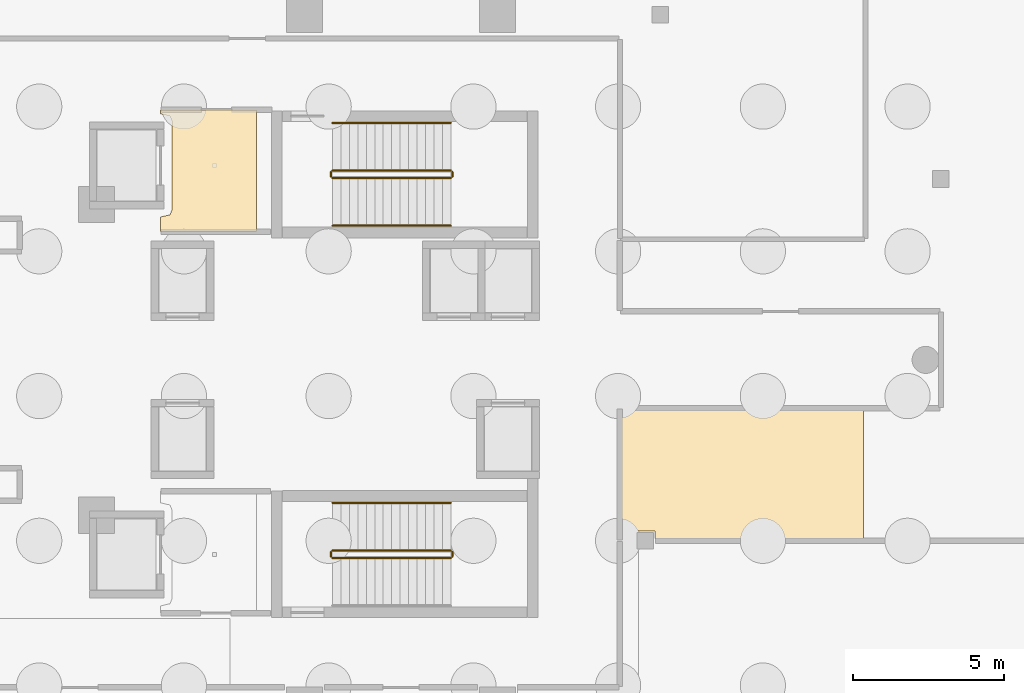
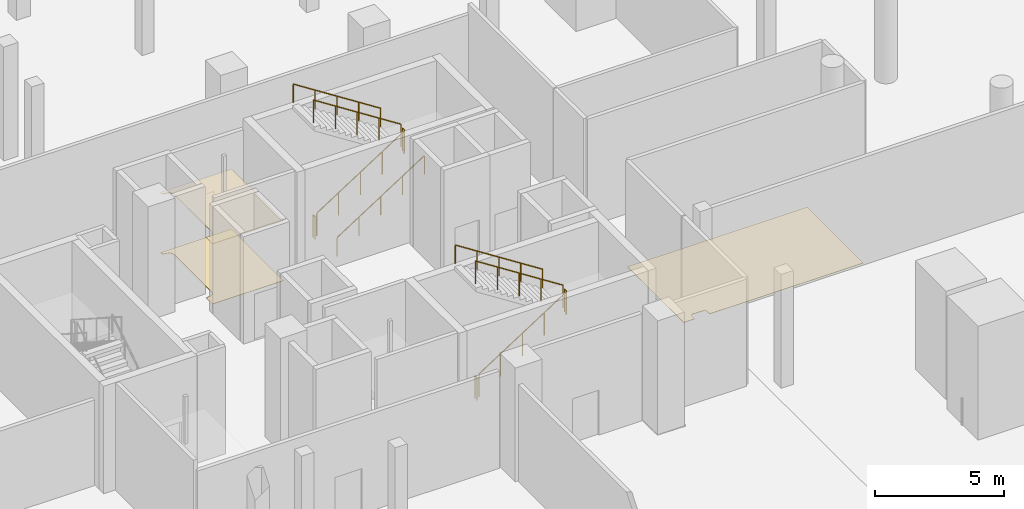
# One storey, part 18 of 22: 11 railings, 3 coverings.
"""IFC4 building model written with IfcOpenShell, lengths in metres."""

from ifc_helpers import new_model, si_unit, direction, frame, origin, origin_2d, place, context, subcontext, project, spatial, polyline, circle, outline, extrude, material, layer, layer_set, type_object, element, save


model = new_model("IFC4")

# Units and contexts
model_context = context("Model", 3, precision=1e-05, world=origin(), true_north=direction((0.0, 1.0)))
body_context = subcontext(model_context, "Body", "Model", "MODEL_VIEW")
ifc_project = project(units=[si_unit("LENGTHUNIT", "METRE"), si_unit("AREAUNIT", "SQUARE_METRE"), si_unit("VOLUMEUNIT", "CUBIC_METRE"), si_unit("PLANEANGLEUNIT", "RADIAN"), si_unit("MASSUNIT", "GRAM", prefix="KILO")], contexts=[model_context])

# Site, building, storey
site_placement = place(None, origin())
site = spatial("IfcSite", under=ifc_project, at=site_placement, CompositionType="ELEMENT")
building_placement = place(site_placement, origin())
building = spatial("IfcBuilding", under=site, at=building_placement, Name="Qorvath Tower", CompositionType="ELEMENT")
storey_placement = place(building_placement, frame((0.0, 0.0, -5.39990234375)))
storey = spatial("IfcBuildingStorey", under=building, at=storey_placement, Name="B01", CompositionType="ELEMENT", Elevation=-5.39990234375)

# Coverings
ifc_material_1 = material(Name="Acoustic mineral fibre ceiling tile", Category="gypsum")
ifc_layer_1 = layer(ifc_material_1, 0.030029296875)
ifc_layer_set_1 = layer_set([ifc_layer_1], Name="COV-CEIL")
covering_type_1 = type_object("IfcCoveringType", Name="COV-CEIL", PredefinedType="CEILING", material=ifc_layer_set_1)
covering_1_placement = place(storey_placement, frame((0.0, 0.0, 2.849853515625)))
element("IfcCovering", 1, at=covering_1_placement, inside=storey, type_object=covering_type_1, Name="B01 Suspended Acoustic Ceiling 001", PredefinedType="CEILING", context=body_context, shape_type="SweptSolid", body=[
    extrude(outline(polyline([(-25.18994140625, 4.2548828125), (-25.18994140625, 8.294921875), (-28.375, 8.294921875), (-28.375, 8.159912109375), (-28.063232421875, 8.086669921875), (-27.989990234375, 7.909912109375), (-27.989990234375, 4.989990234375), (-28.063232421875, 4.813232421875), (-28.375, 4.739990234375), (-28.375, 4.2548828125), (-25.18994140625, 4.2548828125)])), origin(), (0.0, 0.0, 1.0), 0.030029296875),
])
ifc_material_2 = material(Name="Polished epoxy terrazzo flooring", Category="concrete")
ifc_layer_2 = layer(ifc_material_2, 0.02001953125)
ifc_layer_set_2 = layer_set([ifc_layer_2], Name="COV-FLOOR-TRZ")
covering_type_2 = type_object("IfcCoveringType", Name="COV-FLOOR-TRZ", PredefinedType="FLOORING", material=ifc_layer_set_2)
covering_2_placement = place(storey_placement, origin())
element("IfcCovering", 2, at=covering_2_placement, inside=storey, type_object=covering_type_2, Name="B01 Floor Finish 001", PredefinedType="FLOORING", context=body_context, shape_type="SweptSolid", body=[
    extrude(outline(polyline([(-25.18994140625, 4.2548828125), (-25.18994140625, 8.294921875), (-28.375, 8.294921875), (-28.375, 8.159912109375), (-28.063232421875, 8.086669921875), (-27.989990234375, 7.909912109375), (-27.989990234375, 4.989990234375), (-28.063232421875, 4.813232421875), (-28.375, 4.739990234375), (-28.375, 4.2548828125), (-25.18994140625, 4.2548828125)])), origin(), (0.0, 0.0, 1.0), 0.014892578125),
])
covering_3_placement = place(storey_placement, origin())
element("IfcCovering", 3, at=covering_3_placement, inside=storey, type_object=covering_type_2, Name="B01 Floor Finish 007", PredefinedType="FLOORING", context=body_context, shape_type="SweptSolid", body=[
    extrude(outline(polyline([(-5.064453125, -5.987060546875), (-5.064453125, -1.609130859375), (-13.136962890625, -1.613037109375), (-13.136962890625, -5.987060546875), (-12.635009765625, -5.987060546875), (-12.635009765625, -5.72509765625), (-12.574951171875, -5.6650390625), (-11.982666015625, -5.6826171875), (-11.965087890625, -5.987060546875), (-5.064453125, -5.987060546875)])), origin(), (0.0, 0.0, 1.0), 0.014892578125),
])

# Railings
ifc_material_3 = material(Name="Painted galvanised steel", Category="steel")
railing_type_1 = type_object("IfcRailingType", Name="RL-STR-GRD", PredefinedType="GUARDRAIL", material=ifc_material_3)
railing_1_placement = place(storey_placement, frame((-22.669921875, 6.030029296875, 0.179931640625)))
element("IfcRailing", 4, at=railing_1_placement, inside=storey, type_object=railing_type_1, Name="B01 TS1 stair guard 1", PredefinedType="GUARDRAIL", context=body_context, shape_type="SweptSolid", body=[
    extrude(circle(Radius=0.02392578125, at=origin_2d()), frame((0.0, 0.0, 1.076171875), z_axis=(0.841171666519, 0.0, 0.540768182723), x_axis=(0.0, 1.0, 0.0)), (0.0, 0.0, 1.0), 4.66015625),
    extrude(circle(Radius=0.02099609375, at=origin_2d()), origin(), (0.0, 0.0, 1.0), 1.052001953125),
    extrude(circle(Radius=0.02099609375, at=origin_2d()), frame((0.97998046875, 0.0, 0.6298828125)), (0.0, 0.0, 1.0), 1.052001953125),
    extrude(circle(Radius=0.02099609375, at=origin_2d()), frame((1.9599609375, 0.0, 1.260009765625)), (0.0, 0.0, 1.0), 1.052001953125),
    extrude(circle(Radius=0.02099609375, at=origin_2d()), frame((2.93994140625, 0.0, 1.89013671875)), (0.0, 0.0, 1.0), 1.052001953125),
    extrude(circle(Radius=0.02099609375, at=origin_2d()), frame((3.919921875, 0.0, 2.52001953125)), (0.0, 0.0, 1.0), 1.052001953125),
])
railing_2_placement = place(storey_placement, frame((-18.699951171875, 6.080078125, 2.699951171875)))
element("IfcRailing", 5, at=railing_2_placement, inside=storey, type_object=railing_type_1, Name="B01 TS1 stair guard 2", PredefinedType="GUARDRAIL", context=body_context, shape_type="SweptSolid", body=[
    extrude(circle(Radius=0.02392578125, at=origin_2d()), frame((0.0, 0.0, 1.076171875), z_axis=(0.0, 1.0, 0.0), x_axis=(-1.0, 0.0, 0.0)), (0.0, 0.0, 1.0), 0.14990234375),
    extrude(circle(Radius=0.02099609375, at=origin_2d()), origin(), (0.0, 0.0, 1.0), 1.052001953125),
    extrude(circle(Radius=0.02099609375, at=origin_2d()), frame((0.0, 0.14990234375, 0.0)), (0.0, 0.0, 1.0), 1.052001953125),
])
railing_3_placement = place(storey_placement, frame((-18.75, 6.280029296875, 2.8798828125)))
element("IfcRailing", 6, at=railing_3_placement, inside=storey, type_object=railing_type_1, Name="B01 TS1 stair guard 3", PredefinedType="GUARDRAIL", context=body_context, shape_type="SweptSolid", body=[
    extrude(circle(Radius=0.02392578125, at=origin_2d()), frame((0.0, 0.0, 1.076171875), z_axis=(-0.841171666519, 0.0, 0.540768182723), x_axis=(0.0, -1.0, 0.0)), (0.0, 0.0, 1.0), 4.66015625),
    extrude(circle(Radius=0.02099609375, at=origin_2d()), origin(), (0.0, 0.0, 1.0), 1.052001953125),
    extrude(circle(Radius=0.02099609375, at=origin_2d()), frame((-0.97998046875, 0.0, 0.6298828125)), (0.0, 0.0, 1.0), 1.052001953125),
    extrude(circle(Radius=0.02099609375, at=origin_2d()), frame((-1.9599609375, 0.0, 1.260009765625)), (0.0, 0.0, 1.0), 1.052001953125),
    extrude(circle(Radius=0.02099609375, at=origin_2d()), frame((-2.93994140625, 0.0, 1.89013671875)), (0.0, 0.0, 1.0), 1.052001953125),
    extrude(circle(Radius=0.02099609375, at=origin_2d()), frame((-3.919921875, 0.0, 2.52001953125)), (0.0, 0.0, 1.0), 1.052001953125),
])
railing_4_placement = place(storey_placement, frame((-22.719970703125, 6.080078125, 0.0)))
element("IfcRailing", 7, at=railing_4_placement, inside=storey, type_object=railing_type_1, Name="B01 TS1 stair guard 4", PredefinedType="GUARDRAIL", context=body_context, shape_type="SweptSolid", body=[
    extrude(circle(Radius=0.02392578125, at=origin_2d()), frame((0.0, 0.0, 1.076171875), z_axis=(0.0, 1.0, 0.0), x_axis=(-1.0, 0.0, 0.0)), (0.0, 0.0, 1.0), 0.14990234375),
    extrude(circle(Radius=0.02099609375, at=origin_2d()), origin(), (0.0, 0.0, 1.0), 1.052001953125),
    extrude(circle(Radius=0.02099609375, at=origin_2d()), frame((0.0, 0.14990234375, 0.0)), (0.0, 0.0, 1.0), 1.052001953125),
])
railing_5_placement = place(storey_placement, frame((-22.669921875, -6.570068359375, 0.179931640625)))
element("IfcRailing", 8, at=railing_5_placement, inside=storey, type_object=railing_type_1, Name="B01 TS2 stair guard 1", PredefinedType="GUARDRAIL", context=body_context, shape_type="SweptSolid", body=[
    extrude(circle(Radius=0.02392578125, at=origin_2d()), frame((0.0, 0.0, 1.076171875), z_axis=(0.841171666519, 0.0, 0.540768182723), x_axis=(0.0, 1.0, 0.0)), (0.0, 0.0, 1.0), 4.66015625),
    extrude(circle(Radius=0.02099609375, at=origin_2d()), origin(), (0.0, 0.0, 1.0), 1.052001953125),
    extrude(circle(Radius=0.02099609375, at=origin_2d()), frame((0.97998046875, 0.0, 0.6298828125)), (0.0, 0.0, 1.0), 1.052001953125),
    extrude(circle(Radius=0.02099609375, at=origin_2d()), frame((1.9599609375, 0.0, 1.260009765625)), (0.0, 0.0, 1.0), 1.052001953125),
    extrude(circle(Radius=0.02099609375, at=origin_2d()), frame((2.93994140625, 0.0, 1.89013671875)), (0.0, 0.0, 1.0), 1.052001953125),
    extrude(circle(Radius=0.02099609375, at=origin_2d()), frame((3.919921875, 0.0, 2.52001953125)), (0.0, 0.0, 1.0), 1.052001953125),
])
railing_6_placement = place(storey_placement, frame((-18.699951171875, -6.52001953125, 2.699951171875)))
element("IfcRailing", 9, at=railing_6_placement, inside=storey, type_object=railing_type_1, Name="B01 TS2 stair guard 2", PredefinedType="GUARDRAIL", context=body_context, shape_type="SweptSolid", body=[
    extrude(circle(Radius=0.02392578125, at=origin_2d()), frame((0.0, 0.0, 1.076171875), z_axis=(0.0, 1.0, 0.0), x_axis=(-1.0, 0.0, 0.0)), (0.0, 0.0, 1.0), 0.14990234375),
    extrude(circle(Radius=0.02099609375, at=origin_2d()), origin(), (0.0, 0.0, 1.0), 1.052001953125),
    extrude(circle(Radius=0.02099609375, at=origin_2d()), frame((0.0, 0.14990234375, 0.0)), (0.0, 0.0, 1.0), 1.052001953125),
])
railing_7_placement = place(storey_placement, frame((-18.75, -6.320068359375, 2.8798828125)))
element("IfcRailing", 10, at=railing_7_placement, inside=storey, type_object=railing_type_1, Name="B01 TS2 stair guard 3", PredefinedType="GUARDRAIL", context=body_context, shape_type="SweptSolid", body=[
    extrude(circle(Radius=0.02392578125, at=origin_2d()), frame((0.0, 0.0, 1.076171875), z_axis=(-0.841171666519, 0.0, 0.540768182723), x_axis=(0.0, -1.0, 0.0)), (0.0, 0.0, 1.0), 4.66015625),
    extrude(circle(Radius=0.02099609375, at=origin_2d()), origin(), (0.0, 0.0, 1.0), 1.052001953125),
    extrude(circle(Radius=0.02099609375, at=origin_2d()), frame((-0.97998046875, 0.0, 0.6298828125)), (0.0, 0.0, 1.0), 1.052001953125),
    extrude(circle(Radius=0.02099609375, at=origin_2d()), frame((-1.9599609375, 0.0, 1.260009765625)), (0.0, 0.0, 1.0), 1.052001953125),
    extrude(circle(Radius=0.02099609375, at=origin_2d()), frame((-2.93994140625, 0.0, 1.89013671875)), (0.0, 0.0, 1.0), 1.052001953125),
    extrude(circle(Radius=0.02099609375, at=origin_2d()), frame((-3.919921875, 0.0, 2.52001953125)), (0.0, 0.0, 1.0), 1.052001953125),
])
railing_8_placement = place(storey_placement, frame((-22.719970703125, -6.52001953125, 0.0)))
element("IfcRailing", 11, at=railing_8_placement, inside=storey, type_object=railing_type_1, Name="B01 TS2 stair guard 4", PredefinedType="GUARDRAIL", context=body_context, shape_type="SweptSolid", body=[
    extrude(circle(Radius=0.02392578125, at=origin_2d()), frame((0.0, 0.0, 1.076171875), z_axis=(0.0, 1.0, 0.0), x_axis=(-1.0, 0.0, 0.0)), (0.0, 0.0, 1.0), 0.14990234375),
    extrude(circle(Radius=0.02099609375, at=origin_2d()), origin(), (0.0, 0.0, 1.0), 1.052001953125),
    extrude(circle(Radius=0.02099609375, at=origin_2d()), frame((0.0, 0.14990234375, 0.0)), (0.0, 0.0, 1.0), 1.052001953125),
])
ifc_material_4 = material(Name="Brushed stainless steel AISI 304", Category="steel")
railing_type_2 = type_object("IfcRailingType", Name="RL-STR-HND", PredefinedType="HANDRAIL", material=ifc_material_4)
railing_9_placement = place(storey_placement, frame((-22.669921875, 4.449951171875, 0.179931640625)))
element("IfcRailing", 12, at=railing_9_placement, inside=storey, type_object=railing_type_2, Name="B01 TS1 stair handrail 1", PredefinedType="HANDRAIL", context=body_context, shape_type="SweptSolid", body=[
    extrude(circle(Radius=0.02392578125, at=origin_2d()), frame((0.0, 0.0, 0.8759765625), z_axis=(0.841171666519, 0.0, 0.540768182723), x_axis=(0.0, 1.0, 0.0)), (0.0, 0.0, 1.0), 4.66015625),
    extrude(circle(Radius=0.02099609375, at=origin_2d()), origin(), (0.0, 0.0, 1.0), 0.851806640625),
    extrude(circle(Radius=0.02099609375, at=origin_2d()), frame((0.97998046875, 0.0, 0.6298828125)), (0.0, 0.0, 1.0), 0.851806640625),
    extrude(circle(Radius=0.02099609375, at=origin_2d()), frame((1.9599609375, 0.0, 1.260009765625)), (0.0, 0.0, 1.0), 0.851806640625),
    extrude(circle(Radius=0.02099609375, at=origin_2d()), frame((2.93994140625, 0.0, 1.89013671875)), (0.0, 0.0, 1.0), 0.851806640625),
    extrude(circle(Radius=0.02099609375, at=origin_2d()), frame((3.919921875, 0.0, 2.52001953125)), (0.0, 0.0, 1.0), 0.851806640625),
])
for number, where, name in (
    (13, (-18.75, 7.860107421875, 2.8798828125), "B01 TS1 stair handrail 2"),
    (14, (-18.75, -4.739990234375, 2.8798828125), "B01 TS2 stair handrail 2"),
):
    element("IfcRailing", number, at=place(storey_placement, frame(where)), inside=storey, type_object=railing_type_2, Name=name, PredefinedType="HANDRAIL", context=body_context, shape_type="SweptSolid", body=[
        extrude(circle(Radius=0.02392578125, at=origin_2d()), frame((0.0, 0.0, 0.8759765625), z_axis=(-0.841171666519, 0.0, 0.540768182723), x_axis=(0.0, -1.0, 0.0)), (0.0, 0.0, 1.0), 4.66015625),
        extrude(circle(Radius=0.02099609375, at=origin_2d()), origin(), (0.0, 0.0, 1.0), 0.851806640625),
        extrude(circle(Radius=0.02099609375, at=origin_2d()), frame((-0.97998046875, 0.0, 0.6298828125)), (0.0, 0.0, 1.0), 0.851806640625),
        extrude(circle(Radius=0.02099609375, at=origin_2d()), frame((-1.9599609375, 0.0, 1.260009765625)), (0.0, 0.0, 1.0), 0.851806640625),
        extrude(circle(Radius=0.02099609375, at=origin_2d()), frame((-2.93994140625, 0.0, 1.89013671875)), (0.0, 0.0, 1.0), 0.851806640625),
        extrude(circle(Radius=0.02099609375, at=origin_2d()), frame((-3.919921875, 0.0, 2.52001953125)), (0.0, 0.0, 1.0), 0.851806640625),
    ])

save(model, "model.ifc")
